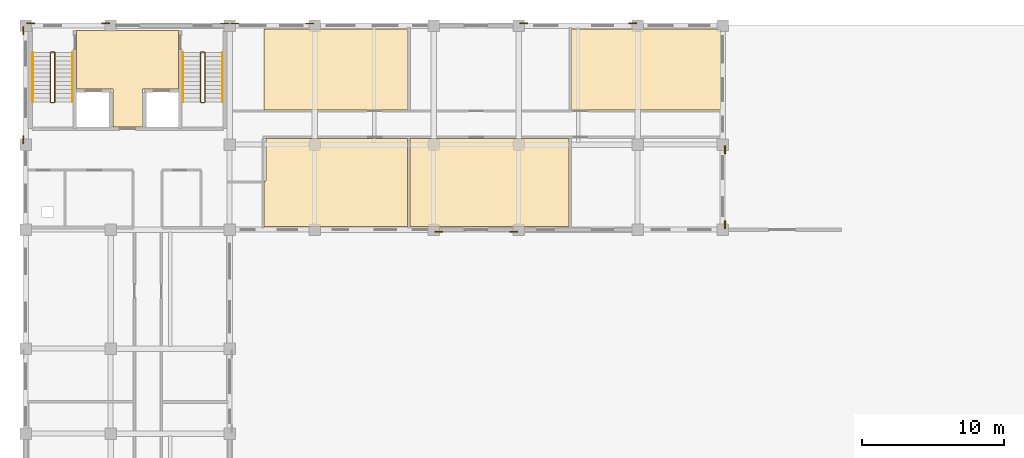
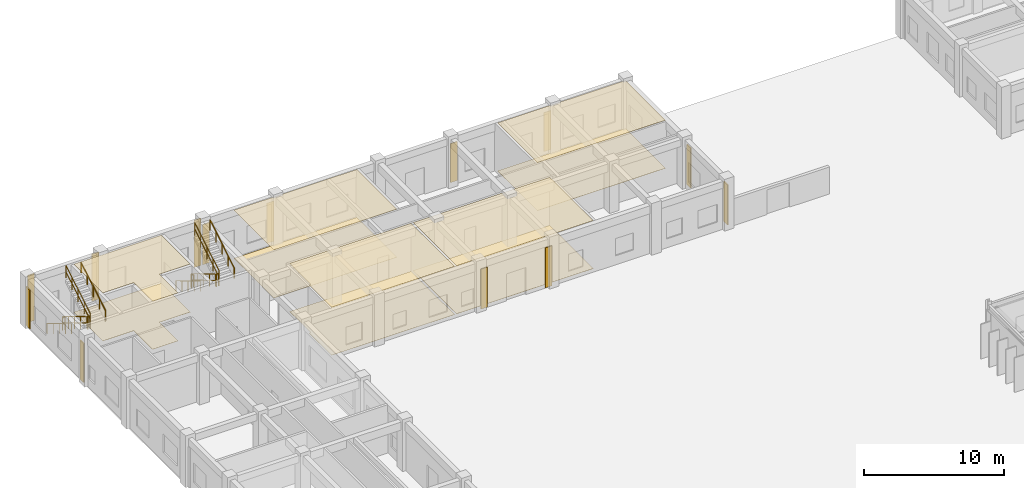
# One storey, part 60 of 67: 23 coverings, 12 railings.
"""IFC4 building model written with IfcOpenShell, lengths in metres."""

from ifc_helpers import new_model, si_unit, direction, frame, origin, origin_2d, place, context, subcontext, project, spatial, polyline, rectangle, outline, extrude, material, layer, layer_set, type_object, element, save


model = new_model("IFC4")

# Units and contexts
model_context = context("Model", 3, precision=1e-05, world=origin(), true_north=direction((0.0, 1.0)))
body_context = subcontext(model_context, "Body", "Model", "MODEL_VIEW")
ifc_project = project(units=[si_unit("LENGTHUNIT", "METRE"), si_unit("AREAUNIT", "SQUARE_METRE"), si_unit("VOLUMEUNIT", "CUBIC_METRE"), si_unit("PLANEANGLEUNIT", "RADIAN"), si_unit("MASSUNIT", "GRAM", prefix="KILO"), si_unit("THERMODYNAMICTEMPERATUREUNIT", "KELVIN")], contexts=[model_context])

# Site, building, storey
site_placement = place(None, origin())
site = spatial("IfcSite", under=ifc_project, at=site_placement, CompositionType="ELEMENT")
building_placement = place(site_placement, origin())
building = spatial("IfcBuilding", under=site, at=building_placement, Name="Thalorik Housing Commons", CompositionType="ELEMENT")
storey_placement = place(building_placement, origin())
storey = spatial("IfcBuildingStorey", under=building, at=storey_placement, Name="L00", CompositionType="ELEMENT", Elevation=0.0)

# Coverings
ifc_material_1 = material(Name="Cobalt blue glazed ceramic facade tile panel", Category="masonry")
ifc_layer_1 = layer(ifc_material_1, 0.06005859375, Name="Cobalt blue glazed ceramic facade tile panel", Category="masonry")
ifc_layer_set_1 = layer_set([ifc_layer_1], Name="Cobalt blue glazed ceramic facade tile panel")
covering_type_1 = type_object("IfcCoveringType", Name="ARC-CLD-BLU-60", PredefinedType="CLADDING", material=ifc_layer_set_1)
for number, where, z_axis, x_axis, name in (
    (1, (37.550048828125, 109.04541015625, 0.0498046875), (0.0, 0.0, 1.0), (1.0, 0.0, 0.0), "L00 Architectural Facade Cladding 1"),
    (2, (42.85009765625, 109.04541015625, 0.0498046875), (0.0, 0.0, 1.0), (1.0, 0.0, 0.0), "L00 Architectural Facade Cladding 2"),
):
    element("IfcCovering", number, at=place(storey_placement, frame(where, z_axis=z_axis, x_axis=x_axis)), inside=storey, type_object=covering_type_1, Name=name, PredefinedType="CLADDING", context=body_context, shape_type="SweptSolid", body=[
        extrude(rectangle(XDim=0.550048828125, YDim=0.06005859375, at=origin_2d()), origin(), (0.0, 0.0, 1.0), 3.485107421875),
    ])
covering_1_placement = place(storey_placement, frame((22.449951171875, 123.75439453125, 0.050048828125), z_axis=(0.0, 0.0, 1.0), x_axis=(-1.0, 0.0, 0.0)))
element("IfcCovering", 3, at=covering_1_placement, inside=storey, type_object=covering_type_1, Name="L00 Architectural Facade Cladding 9", PredefinedType="CLADDING", context=body_context, shape_type="SweptSolid", body=[
    extrude(rectangle(XDim=0.550048828125, YDim=0.06005859375, at=origin_2d()), origin(), (0.0, 0.0, 1.0), 4.10009765625),
])
ifc_material_2 = material(Name="Precast concrete C40/50", Category="concrete")
ifc_layer_2 = layer(ifc_material_2, 0.074951171875, Name="Precast concrete C40/50", Category="concrete")
ifc_layer_set_2 = layer_set([ifc_layer_2], Name="Precast concrete C40/50")
covering_type_2 = type_object("IfcCoveringType", Name="ARC-CLD-PIER-75", PredefinedType="CLADDING", material=ifc_layer_set_2)
for number, where, z_axis, x_axis, name in (
    (4, (8.238037109375, 123.25, 0.0498046875), (0.0, 0.0, 1.0), (0.0, -1.0, 0.0), "L00 Architectural Facade Cladding 12"),
    (5, (8.238037109375, 115.550048828125, 0.0498046875), (0.0, 0.0, 1.0), (0.0, -1.0, 0.0), "L00 Architectural Facade Cladding 13"),
):
    element("IfcCovering", number, at=place(storey_placement, frame(where, z_axis=z_axis, x_axis=x_axis)), inside=storey, type_object=covering_type_2, Name=name, PredefinedType="CLADDING", context=body_context, shape_type="SweptSolid", body=[
        extrude(rectangle(XDim=0.550048828125, YDim=0.074951171875, at=origin_2d()), origin(), (0.0, 0.0, 1.0), 3.385009765625),
    ])
ifc_layer_3 = layer(ifc_material_2, 0.090087890625, Name="Precast concrete C40/50", Category="concrete")
ifc_layer_set_3 = layer_set([ifc_layer_3], Name="Precast concrete C40/50")
covering_type_3 = type_object("IfcCoveringType", Name="ARC-CLD-PIER-90", PredefinedType="CLADDING", material=ifc_layer_set_3)
for number, where, z_axis, x_axis, name in (
    (6, (57.76953125, 109.550048828125, 0.0498046875), (0.0, 0.0, 1.0), (0.0, 1.0, 0.0), "L00 Architectural Facade Cladding 3"),
    (7, (57.76953125, 114.85009765625, 0.0498046875), (0.0, 0.0, 1.0), (0.0, 1.0, 0.0), "L00 Architectural Facade Cladding 4"),
):
    element("IfcCovering", number, at=place(storey_placement, frame(where, z_axis=z_axis, x_axis=x_axis)), inside=storey, type_object=covering_type_3, Name=name, PredefinedType="CLADDING", context=body_context, shape_type="SweptSolid", body=[
        extrude(rectangle(XDim=0.550048828125, YDim=0.090087890625, at=origin_2d()), origin(), (0.0, 0.0, 1.0), 3.485107421875),
    ])
ifc_material_3 = material(Name="Terracotta red mineral fibre-cement panel", Category="masonry")
ifc_layer_4 = layer(ifc_material_3, 0.054931640625, Name="Terracotta red mineral fibre-cement panel", Category="masonry")
ifc_layer_set_4 = layer_set([ifc_layer_4], Name="Terracotta red mineral fibre-cement panel")
covering_type_4 = type_object("IfcCoveringType", Name="ARC-CLD-RED-55", PredefinedType="CLADDING", material=ifc_layer_set_4)
for number, where, z_axis, x_axis, name in (
    (8, (28.449951171875, 123.751953125, 0.0498046875), (0.0, 0.0, 1.0), (-1.0, 0.0, 0.0), "L00 Architectural Facade Cladding 7"),
    (9, (23.14990234375, 123.751953125, 0.0498046875), (0.0, 0.0, 1.0), (-1.0, 0.0, 0.0), "L00 Architectural Facade Cladding 8"),
):
    element("IfcCovering", number, at=place(storey_placement, frame(where, z_axis=z_axis, x_axis=x_axis)), inside=storey, type_object=covering_type_4, Name=name, PredefinedType="CLADDING", context=body_context, shape_type="SweptSolid", body=[
        extrude(rectangle(XDim=0.550048828125, YDim=0.054931640625, at=origin_2d()), origin(), (0.0, 0.0, 1.0), 3.485107421875),
    ])
ifc_material_4 = material(Name="Mineral ochre architectural terracotta panel", Category="masonry")
ifc_layer_5 = layer(ifc_material_4, 0.06494140625, Name="Mineral ochre architectural terracotta panel", Category="masonry")
ifc_layer_set_5 = layer_set([ifc_layer_5], Name="Mineral ochre architectural terracotta panel")
covering_type_5 = type_object("IfcCoveringType", Name="ARC-CLD-YEL-65", PredefinedType="CLADDING", material=ifc_layer_set_5)
for number, where, z_axis, x_axis, name in (
    (10, (51.25, 123.757080078125, 0.0498046875), (0.0, 0.0, 1.0), (-1.0, 0.0, 0.0), "L00 Architectural Facade Cladding 5"),
    (11, (43.550048828125, 123.757080078125, 0.0498046875), (0.0, 0.0, 1.0), (-1.0, 0.0, 0.0), "L00 Architectural Facade Cladding 6"),
):
    element("IfcCovering", number, at=place(storey_placement, frame(where, z_axis=z_axis, x_axis=x_axis)), inside=storey, type_object=covering_type_5, Name=name, PredefinedType="CLADDING", context=body_context, shape_type="SweptSolid", body=[
        extrude(rectangle(XDim=0.550048828125, YDim=0.06494140625, at=origin_2d()), origin(), (0.0, 0.0, 1.0), 3.385009765625),
    ])
for number, where, z_axis, x_axis, name in (
    (12, (14.050048828125, 123.757080078125, 0.050048828125), (0.0, 0.0, 1.0), (-1.0, 0.0, 0.0), "L00 Architectural Facade Cladding 10"),
    (13, (8.75, 123.757080078125, 0.050048828125), (0.0, 0.0, 1.0), (-1.0, 0.0, 0.0), "L00 Architectural Facade Cladding 11"),
):
    element("IfcCovering", number, at=place(storey_placement, frame(where, z_axis=z_axis, x_axis=x_axis)), inside=storey, type_object=covering_type_5, Name=name, PredefinedType="CLADDING", context=body_context, shape_type="SweptSolid", body=[
        extrude(rectangle(XDim=0.550048828125, YDim=0.06494140625, at=origin_2d()), origin(), (0.0, 0.0, 1.0), 4.10009765625),
    ])
ifc_material_5 = material(Name="Perforated acoustic gypsum ceiling board")
ifc_layer_6 = layer(ifc_material_5, 0.014892578125, Name="Perforated acoustic gypsum ceiling board")
ifc_layer_set_6 = layer_set([ifc_layer_6], Name="Perforated acoustic gypsum ceiling board")
covering_type_6 = type_object("IfcCoveringType", Name="ARC-COV-CEIL-01", PredefinedType="CEILING", material=ifc_layer_set_6)
covering_2_placement = place(storey_placement, frame((0.0, 0.0, 4.18505859375)))
element("IfcCovering", 14, at=covering_2_placement, inside=storey, type_object=covering_type_6, Name="L00 Residents Lounge Suspended Ceiling", PredefinedType="CEILING", context=body_context, shape_type="SweptSolid", body=[
    extrude(outline(polyline([(25.22998046875, 109.43994140625), (35.360107421875, 109.43994140625), (35.360107421875, 115.639892578125), (25.364990234375, 115.639892578125), (25.36328125, 112.642822265625), (25.349853515625, 112.635009765625), (25.22998046875, 112.635009765625), (25.22998046875, 109.43994140625)])), origin(), (0.0, 0.0, 1.0), 0.014892578125),
])
ifc_material_6 = material(Name="Mineral fibre acoustic ceiling tile")
ifc_layer_7 = layer(ifc_material_6, 0.01806640625, Name="Mineral fibre acoustic ceiling tile")
ifc_layer_set_7 = layer_set([ifc_layer_7], Name="Mineral fibre acoustic ceiling tile")
covering_type_7 = type_object("IfcCoveringType", Name="ARC-COV-CEIL-02", PredefinedType="CEILING", material=ifc_layer_set_7)
covering_3_placement = place(storey_placement, frame((0.0, 0.0, 4.181884765625)))
element("IfcCovering", 15, at=covering_3_placement, inside=storey, type_object=covering_type_7, Name="L00 Residents Cooperative Library Suspended Ceiling", PredefinedType="CEILING", context=body_context, shape_type="SweptSolid", body=[
    extrude(outline(polyline([(35.360107421875, 117.659912109375), (35.360107421875, 123.360107421875), (25.22998046875, 123.360107421875), (25.22998046875, 117.659912109375), (35.360107421875, 117.659912109375)])), origin(), (0.0, 0.0, 1.0), 0.01806640625),
])
ifc_material_7 = material(Name="Slatted timber acoustic hall baffle ceiling", Category="wood")
ifc_layer_8 = layer(ifc_material_7, 0.02197265625, Name="Slatted timber acoustic hall baffle ceiling", Category="wood")
ifc_layer_set_8 = layer_set([ifc_layer_8], Name="Slatted timber acoustic hall baffle ceiling")
covering_type_8 = type_object("IfcCoveringType", Name="ARC-COV-CEIL-03", PredefinedType="CEILING", material=ifc_layer_set_8)
covering_4_placement = place(storey_placement, frame((0.0, 0.0, 4.177978515625)))
element("IfcCovering", 16, at=covering_4_placement, inside=storey, type_object=covering_type_8, Name="L00 Block A Firefighting Lift Lobby Suspended Ceiling", PredefinedType="CEILING", context=body_context, shape_type="SweptSolid", body=[
    extrude(outline(polyline([(14.550048828125, 116.449951171875), (16.64990234375, 116.449951171875), (16.650146484375, 119.1201171875), (19.199951171875, 119.1201171875), (19.199951171875, 123.25), (12.0, 123.25), (12.0, 119.1201171875), (14.550048828125, 119.1201171875), (14.550048828125, 116.449951171875)])), origin(), (0.0, 0.0, 1.0), 0.02197265625),
])
covering_5_placement = place(storey_placement, frame((0.0, 0.0, 4.177978515625)))
element("IfcCovering", 17, at=covering_5_placement, inside=storey, type_object=covering_type_8, Name="L00 Bicycle Repair Workshop Suspended Ceiling", PredefinedType="CEILING", context=body_context, shape_type="SweptSolid", body=[
    extrude(outline(polyline([(46.77001953125, 109.43994140625), (46.77001953125, 115.639892578125), (35.52001953125, 115.639892578125), (35.52001953125, 109.43994140625), (46.77001953125, 109.43994140625)])), origin(), (0.0, 0.0, 1.0), 0.02197265625),
])
ifc_material_8 = material(Name="Moisture-resistant gypsum bathroom ceiling")
ifc_layer_9 = layer(ifc_material_8, 0.02490234375, Name="Moisture-resistant gypsum bathroom ceiling")
ifc_layer_set_9 = layer_set([ifc_layer_9], Name="Moisture-resistant gypsum bathroom ceiling")
covering_type_9 = type_object("IfcCoveringType", Name="ARC-COV-CEIL-04", PredefinedType="CEILING", material=ifc_layer_set_9)
covering_6_placement = place(storey_placement, frame((0.0, 0.0, 4.175048828125)))
element("IfcCovering", 18, at=covering_6_placement, inside=storey, type_object=covering_type_9, Name="L00 Senior Day Lounge Suspended Ceiling", PredefinedType="CEILING", context=body_context, shape_type="SweptSolid", body=[
    extrude(outline(polyline([(57.4599609375, 117.659912109375), (57.4599609375, 123.360107421875), (46.929931640625, 123.360107421875), (46.929931640625, 117.659912109375), (57.4599609375, 117.659912109375)])), origin(), (0.0, 0.0, 1.0), 0.02490234375),
])
ifc_material_9 = material(Name="Glazed Recife ceramic apartment floor tile")
ifc_layer_10 = layer(ifc_material_9, 0.011962890625, Name="Glazed Recife ceramic apartment floor tile")
ifc_layer_set_10 = layer_set([ifc_layer_10], Name="Glazed Recife ceramic apartment floor tile")
covering_type_10 = type_object("IfcCoveringType", Name="ARC-COV-FLR-01", PredefinedType="FLOORING", material=ifc_layer_set_10)
covering_7_placement = place(storey_placement, origin())
element("IfcCovering", 19, at=covering_7_placement, inside=storey, type_object=covering_type_10, Name="L00 Residents Lounge Flooring", PredefinedType="FLOORING", context=body_context, shape_type="SweptSolid", body=[
    extrude(outline(polyline([(25.22998046875, 109.43994140625), (35.360107421875, 109.43994140625), (35.360107421875, 115.639892578125), (25.364990234375, 115.639892578125), (25.36328125, 112.642822265625), (25.349853515625, 112.635009765625), (25.22998046875, 112.635009765625), (25.22998046875, 109.43994140625)])), origin(), (0.0, 0.0, 1.0), 0.011962890625),
])
ifc_material_10 = material(Name="Slip-resistant quarry terracotta corridor tile", Category="masonry")
ifc_layer_11 = layer(ifc_material_10, 0.01611328125, Name="Slip-resistant quarry terracotta corridor tile", Category="masonry")
ifc_layer_set_11 = layer_set([ifc_layer_11], Name="Slip-resistant quarry terracotta corridor tile")
covering_type_11 = type_object("IfcCoveringType", Name="ARC-COV-FLR-02", PredefinedType="FLOORING", material=ifc_layer_set_11)
covering_8_placement = place(storey_placement, origin())
element("IfcCovering", 20, at=covering_8_placement, inside=storey, type_object=covering_type_11, Name="L00 Residents Cooperative Library Flooring", PredefinedType="FLOORING", context=body_context, shape_type="SweptSolid", body=[
    extrude(outline(polyline([(35.360107421875, 117.659912109375), (35.360107421875, 123.360107421875), (25.22998046875, 123.360107421875), (25.22998046875, 117.659912109375), (35.360107421875, 117.659912109375)])), origin(), (0.0, 0.0, 1.0), 0.01611328125),
])
ifc_material_11 = material(Name="Cushioned natural linoleum nursery playroom flooring")
ifc_layer_12 = layer(ifc_material_11, 0.02001953125, Name="Cushioned natural linoleum nursery playroom flooring")
ifc_layer_set_12 = layer_set([ifc_layer_12], Name="Cushioned natural linoleum nursery playroom flooring")
covering_type_12 = type_object("IfcCoveringType", Name="ARC-COV-FLR-03", PredefinedType="FLOORING", material=ifc_layer_set_12)
covering_9_placement = place(storey_placement, origin())
element("IfcCovering", 21, at=covering_9_placement, inside=storey, type_object=covering_type_12, Name="L00 Block A Firefighting Lift Lobby Flooring", PredefinedType="FLOORING", context=body_context, shape_type="SweptSolid", body=[
    extrude(outline(polyline([(14.550048828125, 116.449951171875), (16.64990234375, 116.449951171875), (16.650146484375, 119.1201171875), (19.199951171875, 119.1201171875), (19.199951171875, 123.25), (12.0, 123.25), (12.0, 119.1201171875), (14.550048828125, 119.1201171875), (14.550048828125, 116.449951171875)])), origin(), (0.0, 0.0, 1.0), 0.02001953125),
])
covering_10_placement = place(storey_placement, origin())
element("IfcCovering", 22, at=covering_10_placement, inside=storey, type_object=covering_type_12, Name="L00 Bicycle Repair Workshop Flooring", PredefinedType="FLOORING", context=body_context, shape_type="SweptSolid", body=[
    extrude(outline(polyline([(46.77001953125, 109.43994140625), (46.77001953125, 115.639892578125), (35.52001953125, 115.639892578125), (35.52001953125, 109.43994140625), (46.77001953125, 109.43994140625)])), origin(), (0.0, 0.0, 1.0), 0.02001953125),
])
ifc_material_12 = material(Name="Sprung Brazilian oak assembly hall timber floor", Category="wood")
ifc_layer_13 = layer(ifc_material_12, 0.02392578125, Name="Sprung Brazilian oak assembly hall timber floor", Category="wood")
ifc_layer_set_13 = layer_set([ifc_layer_13], Name="Sprung Brazilian oak assembly hall timber floor")
covering_type_13 = type_object("IfcCoveringType", Name="ARC-COV-FLR-04", PredefinedType="FLOORING", material=ifc_layer_set_13)
covering_11_placement = place(storey_placement, origin())
element("IfcCovering", 23, at=covering_11_placement, inside=storey, type_object=covering_type_13, Name="L00 Senior Day Lounge Flooring", PredefinedType="FLOORING", context=body_context, shape_type="SweptSolid", body=[
    extrude(outline(polyline([(57.4599609375, 117.659912109375), (57.4599609375, 123.360107421875), (46.929931640625, 123.360107421875), (46.929931640625, 117.659912109375), (57.4599609375, 117.659912109375)])), origin(), (0.0, 0.0, 1.0), 0.02392578125),
])

# Railings
ifc_material_13 = material(Name="Steel S355", Category="steel")
railing_type_1 = type_object("IfcRailingType", Name="ARC-RL-STR-GRD110", PredefinedType="GUARDRAIL", material=ifc_material_13)
railing_1_placement = place(storey_placement, frame((10.14990234375, 121.699951171875, 0.173095703125)))
element("IfcRailing", 24, at=railing_1_placement, inside=storey, type_object=railing_type_1, Name="L00 ST-A1 stair guard 1", PredefinedType="GUARDRAIL", context=body_context, shape_type="SweptSolid", body=[
    extrude(rectangle(XDim=0.048095703125, YDim=0.048095703125, at=origin_2d()), frame((0.0, 0.0, 1.076171875), z_axis=(0.0, -0.858697190188, 0.512483302717), x_axis=(1.0, 0.0, 0.0)), (0.0, 0.0, 1.0), 4.052734375),
    extrude(rectangle(XDim=0.048095703125, YDim=0.048095703125, at=origin_2d()), frame((0.0, 0.0, 0.52587890625), z_axis=(0.0, -0.858697190188, 0.512483302717), x_axis=(1.0, 0.0, 0.0)), (0.0, 0.0, 1.0), 4.052734375),
    extrude(rectangle(XDim=0.0419921875, YDim=0.0419921875, at=origin_2d()), origin(), (0.0, 0.0, 1.0), 1.052001953125),
    extrude(rectangle(XDim=0.0419921875, YDim=0.0419921875, at=origin_2d()), frame((0.0, -0.8701171875, 0.519287109375)), (0.0, 0.0, 1.0), 1.052001953125),
    extrude(rectangle(XDim=0.0419921875, YDim=0.0419921875, at=origin_2d()), frame((0.0, -1.739990234375, 1.03857421875)), (0.0, 0.0, 1.0), 1.052001953125),
    extrude(rectangle(XDim=0.0419921875, YDim=0.0419921875, at=origin_2d()), frame((0.0, -2.60986328125, 1.5576171875)), (0.0, 0.0, 1.0), 1.052001953125),
    extrude(rectangle(XDim=0.0419921875, YDim=0.0419921875, at=origin_2d()), frame((0.0, -3.47998046875, 2.076904296875)), (0.0, 0.0, 1.0), 1.052001953125),
])
railing_2_placement = place(storey_placement, frame((10.199951171875, 118.169921875, 2.25)))
element("IfcRailing", 25, at=railing_2_placement, inside=storey, type_object=railing_type_1, Name="L00 ST-A1 stair guard 2", PredefinedType="GUARDRAIL", context=body_context, shape_type="SweptSolid", body=[
    extrude(rectangle(XDim=0.048095703125, YDim=0.048095703125, at=origin_2d()), frame((0.0, 0.0, 1.076171875), z_axis=(1.0, 0.0, 0.0), x_axis=(0.0, 1.0, 0.0)), (0.0, 0.0, 1.0), 0.199951171875),
    extrude(rectangle(XDim=0.048095703125, YDim=0.048095703125, at=origin_2d()), frame((0.0, 0.0, 0.52587890625), z_axis=(1.0, 0.0, 0.0), x_axis=(0.0, 1.0, 0.0)), (0.0, 0.0, 1.0), 0.199951171875),
    extrude(rectangle(XDim=0.0419921875, YDim=0.0419921875, at=origin_2d()), origin(), (0.0, 0.0, 1.0), 1.052001953125),
    extrude(rectangle(XDim=0.0419921875, YDim=0.0419921875, at=origin_2d()), frame((0.199951171875, 0.0, 0.0)), (0.0, 0.0, 1.0), 1.052001953125),
])
railing_3_placement = place(storey_placement, frame((10.449951171875, 118.219970703125, 2.423095703125)))
element("IfcRailing", 26, at=railing_3_placement, inside=storey, type_object=railing_type_1, Name="L00 ST-A1 stair guard 3", PredefinedType="GUARDRAIL", context=body_context, shape_type="SweptSolid", body=[
    extrude(rectangle(XDim=0.048095703125, YDim=0.048095703125, at=origin_2d()), frame((0.0, 0.0, 1.076171875), z_axis=(0.0, 0.858697190188, 0.512483302717), x_axis=(-1.0, 0.0, 0.0)), (0.0, 0.0, 1.0), 4.052734375),
    extrude(rectangle(XDim=0.048095703125, YDim=0.048095703125, at=origin_2d()), frame((0.0, 0.0, 0.52587890625), z_axis=(0.0, 0.858697190188, 0.512483302717), x_axis=(-1.0, 0.0, 0.0)), (0.0, 0.0, 1.0), 4.052734375),
    extrude(rectangle(XDim=0.0419921875, YDim=0.0419921875, at=origin_2d()), origin(), (0.0, 0.0, 1.0), 1.052001953125),
    extrude(rectangle(XDim=0.0419921875, YDim=0.0419921875, at=origin_2d()), frame((0.0, 0.8701171875, 0.519287109375)), (0.0, 0.0, 1.0), 1.052001953125),
    extrude(rectangle(XDim=0.0419921875, YDim=0.0419921875, at=origin_2d()), frame((0.0, 1.739990234375, 1.03857421875)), (0.0, 0.0, 1.0), 1.052001953125),
    extrude(rectangle(XDim=0.0419921875, YDim=0.0419921875, at=origin_2d()), frame((0.0, 2.60986328125, 1.5576171875)), (0.0, 0.0, 1.0), 1.052001953125),
    extrude(rectangle(XDim=0.0419921875, YDim=0.0419921875, at=origin_2d()), frame((0.0, 3.47998046875, 2.076904296875)), (0.0, 0.0, 1.0), 1.052001953125),
])
railing_4_placement = place(storey_placement, frame((10.199951171875, 121.75, 0.0)))
element("IfcRailing", 27, at=railing_4_placement, inside=storey, type_object=railing_type_1, Name="L00 ST-A1 stair guard 4", PredefinedType="GUARDRAIL", context=body_context, shape_type="SweptSolid", body=[
    extrude(rectangle(XDim=0.048095703125, YDim=0.048095703125, at=origin_2d()), frame((0.0, 0.0, 1.076171875), z_axis=(1.0, 0.0, 0.0), x_axis=(0.0, 1.0, 0.0)), (0.0, 0.0, 1.0), 0.199951171875),
    extrude(rectangle(XDim=0.048095703125, YDim=0.048095703125, at=origin_2d()), frame((0.0, 0.0, 0.52587890625), z_axis=(1.0, 0.0, 0.0), x_axis=(0.0, 1.0, 0.0)), (0.0, 0.0, 1.0), 0.199951171875),
    extrude(rectangle(XDim=0.0419921875, YDim=0.0419921875, at=origin_2d()), origin(), (0.0, 0.0, 1.0), 1.052001953125),
    extrude(rectangle(XDim=0.0419921875, YDim=0.0419921875, at=origin_2d()), frame((0.199951171875, 0.0, 0.0)), (0.0, 0.0, 1.0), 1.052001953125),
])
railing_5_placement = place(storey_placement, frame((20.75, 121.699951171875, 0.173095703125)))
element("IfcRailing", 28, at=railing_5_placement, inside=storey, type_object=railing_type_1, Name="L00 ST-A2 stair guard 1", PredefinedType="GUARDRAIL", context=body_context, shape_type="SweptSolid", body=[
    extrude(rectangle(XDim=0.048095703125, YDim=0.048095703125, at=origin_2d()), frame((0.0, 0.0, 1.076171875), z_axis=(0.0, -0.858697190188, 0.512483302717), x_axis=(1.0, 0.0, 0.0)), (0.0, 0.0, 1.0), 4.052734375),
    extrude(rectangle(XDim=0.048095703125, YDim=0.048095703125, at=origin_2d()), frame((0.0, 0.0, 0.52587890625), z_axis=(0.0, -0.858697190188, 0.512483302717), x_axis=(1.0, 0.0, 0.0)), (0.0, 0.0, 1.0), 4.052734375),
    extrude(rectangle(XDim=0.0419921875, YDim=0.0419921875, at=origin_2d()), origin(), (0.0, 0.0, 1.0), 1.052001953125),
    extrude(rectangle(XDim=0.0419921875, YDim=0.0419921875, at=origin_2d()), frame((0.0, -0.8701171875, 0.519287109375)), (0.0, 0.0, 1.0), 1.052001953125),
    extrude(rectangle(XDim=0.0419921875, YDim=0.0419921875, at=origin_2d()), frame((0.0, -1.739990234375, 1.03857421875)), (0.0, 0.0, 1.0), 1.052001953125),
    extrude(rectangle(XDim=0.0419921875, YDim=0.0419921875, at=origin_2d()), frame((0.0, -2.60986328125, 1.5576171875)), (0.0, 0.0, 1.0), 1.052001953125),
    extrude(rectangle(XDim=0.0419921875, YDim=0.0419921875, at=origin_2d()), frame((0.0, -3.47998046875, 2.076904296875)), (0.0, 0.0, 1.0), 1.052001953125),
])
railing_6_placement = place(storey_placement, frame((20.800048828125, 118.169921875, 2.25)))
element("IfcRailing", 29, at=railing_6_placement, inside=storey, type_object=railing_type_1, Name="L00 ST-A2 stair guard 2", PredefinedType="GUARDRAIL", context=body_context, shape_type="SweptSolid", body=[
    extrude(rectangle(XDim=0.048095703125, YDim=0.048095703125, at=origin_2d()), frame((0.0, 0.0, 1.076171875), z_axis=(1.0, 0.0, 0.0), x_axis=(0.0, 1.0, 0.0)), (0.0, 0.0, 1.0), 0.199951171875),
    extrude(rectangle(XDim=0.048095703125, YDim=0.048095703125, at=origin_2d()), frame((0.0, 0.0, 0.52587890625), z_axis=(1.0, 0.0, 0.0), x_axis=(0.0, 1.0, 0.0)), (0.0, 0.0, 1.0), 0.199951171875),
    extrude(rectangle(XDim=0.0419921875, YDim=0.0419921875, at=origin_2d()), origin(), (0.0, 0.0, 1.0), 1.052001953125),
    extrude(rectangle(XDim=0.0419921875, YDim=0.0419921875, at=origin_2d()), frame((0.199951171875, 0.0, 0.0)), (0.0, 0.0, 1.0), 1.052001953125),
])
railing_7_placement = place(storey_placement, frame((21.050048828125, 118.219970703125, 2.423095703125)))
element("IfcRailing", 30, at=railing_7_placement, inside=storey, type_object=railing_type_1, Name="L00 ST-A2 stair guard 3", PredefinedType="GUARDRAIL", context=body_context, shape_type="SweptSolid", body=[
    extrude(rectangle(XDim=0.048095703125, YDim=0.048095703125, at=origin_2d()), frame((0.0, 0.0, 1.076171875), z_axis=(0.0, 0.858697190188, 0.512483302717), x_axis=(-1.0, 0.0, 0.0)), (0.0, 0.0, 1.0), 4.052734375),
    extrude(rectangle(XDim=0.048095703125, YDim=0.048095703125, at=origin_2d()), frame((0.0, 0.0, 0.52587890625), z_axis=(0.0, 0.858697190188, 0.512483302717), x_axis=(-1.0, 0.0, 0.0)), (0.0, 0.0, 1.0), 4.052734375),
    extrude(rectangle(XDim=0.0419921875, YDim=0.0419921875, at=origin_2d()), origin(), (0.0, 0.0, 1.0), 1.052001953125),
    extrude(rectangle(XDim=0.0419921875, YDim=0.0419921875, at=origin_2d()), frame((0.0, 0.8701171875, 0.519287109375)), (0.0, 0.0, 1.0), 1.052001953125),
    extrude(rectangle(XDim=0.0419921875, YDim=0.0419921875, at=origin_2d()), frame((0.0, 1.739990234375, 1.03857421875)), (0.0, 0.0, 1.0), 1.052001953125),
    extrude(rectangle(XDim=0.0419921875, YDim=0.0419921875, at=origin_2d()), frame((0.0, 2.60986328125, 1.5576171875)), (0.0, 0.0, 1.0), 1.052001953125),
    extrude(rectangle(XDim=0.0419921875, YDim=0.0419921875, at=origin_2d()), frame((0.0, 3.47998046875, 2.076904296875)), (0.0, 0.0, 1.0), 1.052001953125),
])
railing_8_placement = place(storey_placement, frame((20.800048828125, 121.75, 0.0)))
element("IfcRailing", 31, at=railing_8_placement, inside=storey, type_object=railing_type_1, Name="L00 ST-A2 stair guard 4", PredefinedType="GUARDRAIL", context=body_context, shape_type="SweptSolid", body=[
    extrude(rectangle(XDim=0.048095703125, YDim=0.048095703125, at=origin_2d()), frame((0.0, 0.0, 1.076171875), z_axis=(1.0, 0.0, 0.0), x_axis=(0.0, 1.0, 0.0)), (0.0, 0.0, 1.0), 0.199951171875),
    extrude(rectangle(XDim=0.048095703125, YDim=0.048095703125, at=origin_2d()), frame((0.0, 0.0, 0.52587890625), z_axis=(1.0, 0.0, 0.0), x_axis=(0.0, 1.0, 0.0)), (0.0, 0.0, 1.0), 0.199951171875),
    extrude(rectangle(XDim=0.0419921875, YDim=0.0419921875, at=origin_2d()), origin(), (0.0, 0.0, 1.0), 1.052001953125),
    extrude(rectangle(XDim=0.0419921875, YDim=0.0419921875, at=origin_2d()), frame((0.199951171875, 0.0, 0.0)), (0.0, 0.0, 1.0), 1.052001953125),
])
railing_type_2 = type_object("IfcRailingType", Name="ARC-RL-STR-HR092", PredefinedType="HANDRAIL", material=ifc_material_13)
railing_9_placement = place(storey_placement, frame((8.89990234375, 121.699951171875, 0.173095703125)))
element("IfcRailing", 32, at=railing_9_placement, inside=storey, type_object=railing_type_2, Name="L00 ST-A1 stair handrail 1", PredefinedType="HANDRAIL", context=body_context, shape_type="SweptSolid", body=[
    extrude(rectangle(XDim=0.048095703125, YDim=0.048095703125, at=origin_2d()), frame((0.0, 0.0, 0.89599609375), z_axis=(0.0, -0.858697190188, 0.512483302717), x_axis=(1.0, 0.0, 0.0)), (0.0, 0.0, 1.0), 4.052734375),
    extrude(rectangle(XDim=0.0419921875, YDim=0.0419921875, at=origin_2d()), origin(), (0.0, 0.0, 1.0), 0.871826171875),
    extrude(rectangle(XDim=0.0419921875, YDim=0.0419921875, at=origin_2d()), frame((0.0, -0.8701171875, 0.519287109375)), (0.0, 0.0, 1.0), 0.871826171875),
    extrude(rectangle(XDim=0.0419921875, YDim=0.0419921875, at=origin_2d()), frame((0.0, -1.739990234375, 1.03857421875)), (0.0, 0.0, 1.0), 0.871826171875),
    extrude(rectangle(XDim=0.0419921875, YDim=0.0419921875, at=origin_2d()), frame((0.0, -2.60986328125, 1.5576171875)), (0.0, 0.0, 1.0), 0.871826171875),
    extrude(rectangle(XDim=0.0419921875, YDim=0.0419921875, at=origin_2d()), frame((0.0, -3.47998046875, 2.076904296875)), (0.0, 0.0, 1.0), 0.871826171875),
])
railing_10_placement = place(storey_placement, frame((11.699951171875, 118.219970703125, 2.423095703125)))
element("IfcRailing", 33, at=railing_10_placement, inside=storey, type_object=railing_type_2, Name="L00 ST-A1 stair handrail 2", PredefinedType="HANDRAIL", context=body_context, shape_type="SweptSolid", body=[
    extrude(rectangle(XDim=0.048095703125, YDim=0.048095703125, at=origin_2d()), frame((0.0, 0.0, 0.89599609375), z_axis=(0.0, 0.858697190188, 0.512483302717), x_axis=(-1.0, 0.0, 0.0)), (0.0, 0.0, 1.0), 4.052734375),
    extrude(rectangle(XDim=0.0419921875, YDim=0.0419921875, at=origin_2d()), origin(), (0.0, 0.0, 1.0), 0.871826171875),
    extrude(rectangle(XDim=0.0419921875, YDim=0.0419921875, at=origin_2d()), frame((0.0, 0.8701171875, 0.519287109375)), (0.0, 0.0, 1.0), 0.871826171875),
    extrude(rectangle(XDim=0.0419921875, YDim=0.0419921875, at=origin_2d()), frame((0.0, 1.739990234375, 1.03857421875)), (0.0, 0.0, 1.0), 0.871826171875),
    extrude(rectangle(XDim=0.0419921875, YDim=0.0419921875, at=origin_2d()), frame((0.0, 2.60986328125, 1.5576171875)), (0.0, 0.0, 1.0), 0.871826171875),
    extrude(rectangle(XDim=0.0419921875, YDim=0.0419921875, at=origin_2d()), frame((0.0, 3.47998046875, 2.076904296875)), (0.0, 0.0, 1.0), 0.871826171875),
])
railing_11_placement = place(storey_placement, frame((19.5, 121.699951171875, 0.173095703125)))
element("IfcRailing", 34, at=railing_11_placement, inside=storey, type_object=railing_type_2, Name="L00 ST-A2 stair handrail 1", PredefinedType="HANDRAIL", context=body_context, shape_type="SweptSolid", body=[
    extrude(rectangle(XDim=0.048095703125, YDim=0.048095703125, at=origin_2d()), frame((0.0, 0.0, 0.89599609375), z_axis=(0.0, -0.858697190188, 0.512483302717), x_axis=(1.0, 0.0, 0.0)), (0.0, 0.0, 1.0), 4.052734375),
    extrude(rectangle(XDim=0.0419921875, YDim=0.0419921875, at=origin_2d()), origin(), (0.0, 0.0, 1.0), 0.871826171875),
    extrude(rectangle(XDim=0.0419921875, YDim=0.0419921875, at=origin_2d()), frame((0.0, -0.8701171875, 0.519287109375)), (0.0, 0.0, 1.0), 0.871826171875),
    extrude(rectangle(XDim=0.0419921875, YDim=0.0419921875, at=origin_2d()), frame((0.0, -1.739990234375, 1.03857421875)), (0.0, 0.0, 1.0), 0.871826171875),
    extrude(rectangle(XDim=0.0419921875, YDim=0.0419921875, at=origin_2d()), frame((0.0, -2.60986328125, 1.5576171875)), (0.0, 0.0, 1.0), 0.871826171875),
    extrude(rectangle(XDim=0.0419921875, YDim=0.0419921875, at=origin_2d()), frame((0.0, -3.47998046875, 2.076904296875)), (0.0, 0.0, 1.0), 0.871826171875),
])
railing_12_placement = place(storey_placement, frame((22.300048828125, 118.219970703125, 2.423095703125)))
element("IfcRailing", 35, at=railing_12_placement, inside=storey, type_object=railing_type_2, Name="L00 ST-A2 stair handrail 2", PredefinedType="HANDRAIL", context=body_context, shape_type="SweptSolid", body=[
    extrude(rectangle(XDim=0.048095703125, YDim=0.048095703125, at=origin_2d()), frame((0.0, 0.0, 0.89599609375), z_axis=(0.0, 0.858697190188, 0.512483302717), x_axis=(-1.0, 0.0, 0.0)), (0.0, 0.0, 1.0), 4.052734375),
    extrude(rectangle(XDim=0.0419921875, YDim=0.0419921875, at=origin_2d()), origin(), (0.0, 0.0, 1.0), 0.871826171875),
    extrude(rectangle(XDim=0.0419921875, YDim=0.0419921875, at=origin_2d()), frame((0.0, 0.8701171875, 0.519287109375)), (0.0, 0.0, 1.0), 0.871826171875),
    extrude(rectangle(XDim=0.0419921875, YDim=0.0419921875, at=origin_2d()), frame((0.0, 1.739990234375, 1.03857421875)), (0.0, 0.0, 1.0), 0.871826171875),
    extrude(rectangle(XDim=0.0419921875, YDim=0.0419921875, at=origin_2d()), frame((0.0, 2.60986328125, 1.5576171875)), (0.0, 0.0, 1.0), 0.871826171875),
    extrude(rectangle(XDim=0.0419921875, YDim=0.0419921875, at=origin_2d()), frame((0.0, 3.47998046875, 2.076904296875)), (0.0, 0.0, 1.0), 0.871826171875),
])

save(model, "model.ifc")
